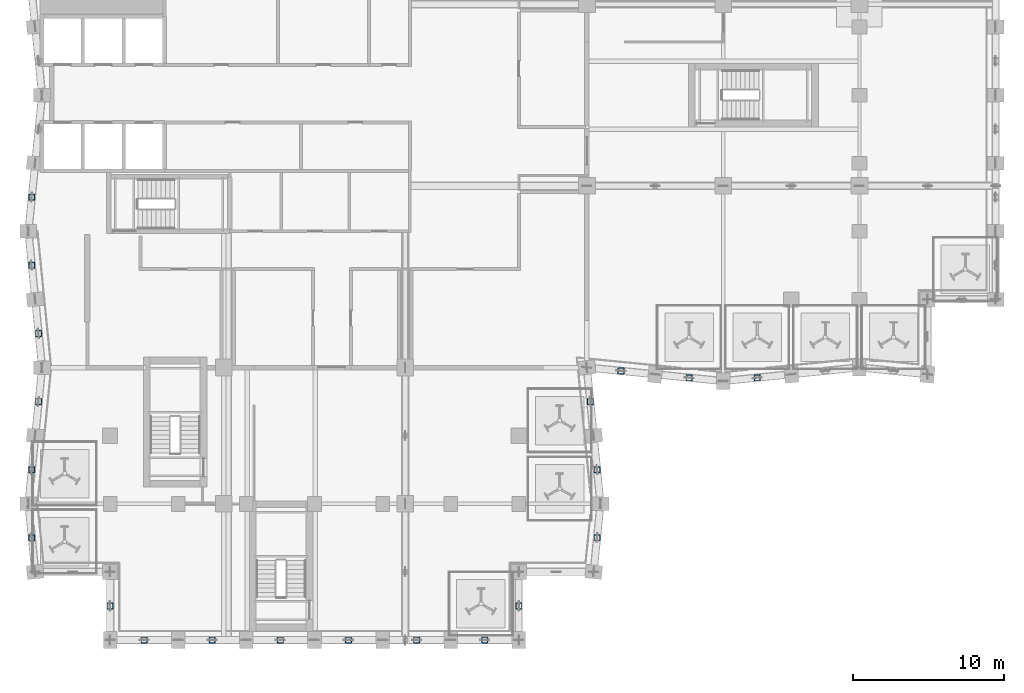
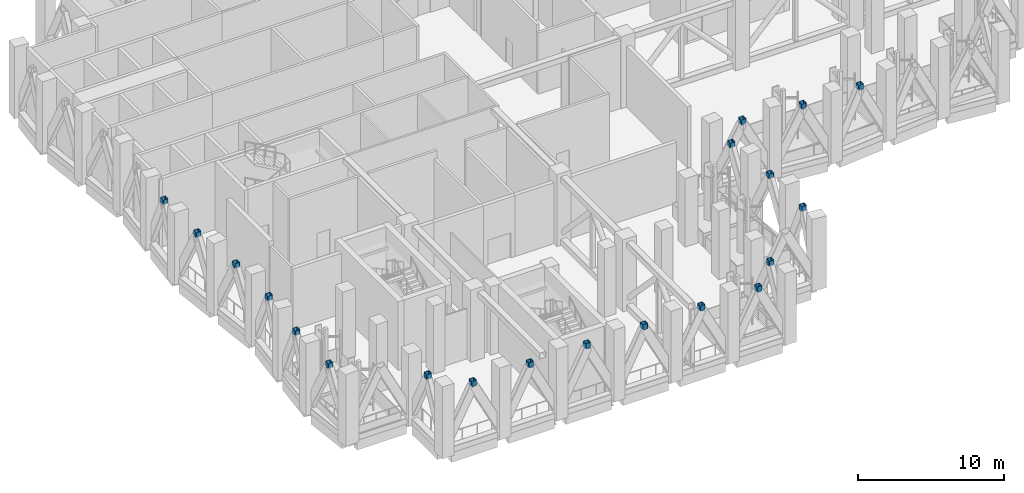
# One storey, part 10 of 28: 20 members.
"""IFC4 building model written with IfcOpenShell, lengths in metres."""

import ifcopenshell
import ifcopenshell.guid

model = None  # the IFC model being written
_history = None  # IfcOwnerHistory: only IFC2X3 demands one
_inside = {}  # id of a spatial element -> (the spatial element, [elements in it])
_under = {}  # id of a project, library or spatial element -> (it, [spatial elements below it])
_declared = {}  # id of a project -> (the project, [libraries it declares])
_typed = {}  # id of a type object -> (the type object, [elements of that type])
_made_of = {}  # id of a material, layer set ... -> (it, [elements and type objects made of it])


def new_model(schema):
    """Start an empty IFC model of exactly this schema.

    Asked for "IFC4X3", IfcOpenShell would pick the latest addendum, in which some entities
    have other attributes; the version numbers below select the first issue.
    IFC2X3 requires an IfcOwnerHistory on every rooted entity: one is made here for all.
    """
    global model, _history
    if schema == "IFC4X3":
        model = ifcopenshell.file(schema_version=(4, 3, 0, 0))
    else:
        model = ifcopenshell.file(schema=schema)
    _inside.clear()
    _under.clear()
    _declared.clear()
    _typed.clear()
    _made_of.clear()
    _history = None
    if model.schema == "IFC2X3":
        org = make("IfcOrganization", Name="unknown")
        user = make(
            "IfcPersonAndOrganization",
            ThePerson=make("IfcPerson", FamilyName="unknown"),
            TheOrganization=org,
        )
        app = make(
            "IfcApplication",
            ApplicationDeveloper=org,
            Version="unknown",
            ApplicationFullName="unknown",
            ApplicationIdentifier="unknown",
        )
        _history = make(
            "IfcOwnerHistory",
            OwningUser=user,
            OwningApplication=app,
            ChangeAction="ADDED",
            CreationDate=0,
        )
    return model


def make(cls, **values):
    """One entity of the class cls with the attributes given. An attribute that is None is left unset."""
    return model.create_entity(
        cls, **{name: value for name, value in values.items() if value is not None}
    )


def rooted(cls, **values):
    """An entity with a GlobalId (a new one), such as an element, a storey or a relation."""
    return make(cls, GlobalId=ifcopenshell.guid.new(), OwnerHistory=_history, **values)


def si_unit(unit_type, name, prefix=None):
    """IfcSIUnit, for example si_unit("LENGTHUNIT", "METRE", prefix="MILLI")."""
    return make("IfcSIUnit", UnitType=unit_type, Prefix=prefix, Name=name)


def assignment(units):
    """IfcUnitAssignment: the units of a project."""
    return None if units is None else make("IfcUnitAssignment", Units=units)


def point(xyz):
    """IfcCartesianPoint."""
    return None if xyz is None else make("IfcCartesianPoint", Coordinates=xyz)


def direction(xyz):
    """IfcDirection."""
    return None if xyz is None else make("IfcDirection", DirectionRatios=xyz)


def frame(location, z_axis=None, x_axis=None):
    """IfcAxis2Placement3D, a coordinate frame: its origin and axes. An axis left out is left unset."""
    return make(
        "IfcAxis2Placement3D",
        Location=point(location),
        Axis=direction(z_axis),
        RefDirection=direction(x_axis),
    )


def frame_2d(location, x_axis=None):
    """IfcAxis2Placement2D, a coordinate frame in the plane: its origin and x axis."""
    return make(
        "IfcAxis2Placement2D", Location=point(location), RefDirection=direction(x_axis)
    )


def origin():
    """The frame at (0, 0, 0) with its axes left unset."""
    return frame((0.0, 0.0, 0.0))


def origin_2d():
    """The frame at (0, 0) in the plane with its x axis left unset."""
    return frame_2d((0.0, 0.0))


def place(relative_to, where):
    """IfcLocalPlacement: puts the frame where relative to a parent placement (None: the world)."""
    return make(
        "IfcLocalPlacement", PlacementRelTo=relative_to, RelativePlacement=where
    )


def context(
    kind, dimensions, precision=None, world=None, true_north=None, identifier=None
):
    """IfcGeometricRepresentationContext, for example the 3D "Model" context."""
    return make(
        "IfcGeometricRepresentationContext",
        ContextIdentifier=identifier,
        ContextType=kind,
        CoordinateSpaceDimension=dimensions,
        Precision=precision,
        WorldCoordinateSystem=world,
        TrueNorth=true_north,
    )


def subcontext(parent, identifier, kind, view, scale=None):
    """IfcGeometricRepresentationSubContext, for example "Body" below "Model"."""
    return make(
        "IfcGeometricRepresentationSubContext",
        ContextIdentifier=identifier,
        ContextType=kind,
        ParentContext=parent,
        TargetScale=scale,
        TargetView=view,
    )


def project(units=None, contexts=None):
    """IfcProject with its units and contexts."""
    return rooted(
        "IfcProject",
        Name="project",
        RepresentationContexts=contexts,
        UnitsInContext=assignment(units),
    )


def spatial(cls, under=None, at=None, **own):
    """A site, building, storey or space (cls), placed at a placement, below another one or the project."""
    s = rooted(cls, ObjectPlacement=at, **own)
    if under is not None:
        _under.setdefault(under.id(), (under, []))[1].append(s)
    return s


def profile(cls, at=None, kind="AREA", **sizes):
    """A parametric profile (cls). Its sizes go by their IFC names, for example OverallWidth=200.0."""
    return make(cls, ProfileType=kind, Position=at, **sizes)


def hollow_rectangle(**sizes):
    """IfcRectangleHollowProfileDef."""
    return profile("IfcRectangleHollowProfileDef", **sizes)


def extrude(swept, where, along, depth):
    """IfcExtrudedAreaSolid: the profile swept, set in the frame where, extruded along a direction by depth."""
    return make(
        "IfcExtrudedAreaSolid",
        SweptArea=swept,
        Position=where,
        ExtrudedDirection=direction(along),
        Depth=depth,
    )


def shape(context_of_items, identifier, shape_type, items):
    """IfcShapeRepresentation: the items that make up one representation, for example the "Body"."""
    return make(
        "IfcShapeRepresentation",
        ContextOfItems=context_of_items,
        RepresentationIdentifier=identifier,
        RepresentationType=shape_type,
        Items=items,
    )


def material(Name=None, Category=None):
    """IfcMaterial."""
    return make("IfcMaterial", Name=Name, Category=Category)


def material_profile(
    of_material, cross_section, Name=None, Category=None, Priority=None
):
    """IfcMaterialProfile: a cross section and its material."""
    return make(
        "IfcMaterialProfile",
        Name=Name,
        Material=of_material,
        Profile=cross_section,
        Priority=Priority,
        Category=Category,
    )


def profile_set(profiles, Name=None, composite=None):
    """IfcMaterialProfileSet."""
    return make(
        "IfcMaterialProfileSet",
        Name=Name,
        MaterialProfiles=profiles,
        CompositeProfile=composite,
    )


def made_of(thing, what):
    """Note that an element or type object is made of a material, layer set ...; save() writes the relation."""
    if what is not None:
        _made_of.setdefault(what.id(), (what, []))[1].append(thing)
    return thing


def type_object(cls, material=None, **own):
    """A type object (cls), such as IfcWallType, which elements share."""
    return made_of(rooted(cls, **own), material)


def element(
    cls,
    number,
    at=None,
    inside=None,
    cuts=None,
    type_object=None,
    material=None,
    context=None,
    identifier="Body",
    shape_type=None,
    held_by="IfcProductDefinitionShape",
    body=None,
    shapes=None,
    **own,
):
    """One element of the class cls, such as IfcWall. Its Tag is "e" and its number.

    at: its placement. inside: the storey or other place that contains it. cuts: it is an
    opening in that element (IfcRelVoidsElement). A single representation is given by context,
    identifier, shape_type and body (its items); several are given by shapes. held_by: the class
    of the entity that holds the representations. save() writes the other relations.
    """
    e = rooted(cls, Tag="e%d" % number, ObjectPlacement=at, **own)
    if body is not None:
        shapes = [shape(context, identifier, shape_type, body)]
    if shapes is not None:
        e.Representation = make(held_by, Representations=shapes)
    if inside is not None:
        _inside.setdefault(inside.id(), (inside, []))[1].append(e)
    if cuts is not None:
        rooted(
            "IfcRelVoidsElement", RelatingBuildingElement=cuts, RelatedOpeningElement=e
        )
    if type_object is not None:
        _typed.setdefault(type_object.id(), (type_object, []))[1].append(e)
    return made_of(e, material)


def aggregate(whole, parts):
    """IfcRelAggregates: a whole, such as a stair, and the parts it consists of."""
    return rooted("IfcRelAggregates", RelatingObject=whole, RelatedObjects=parts)


def save(model, path):
    """Write the relations noted so far, then the file.

    IfcRelAggregates (storeys below a building ...), IfcRelContainedInSpatialStructure (elements
    in a storey), IfcRelDefinesByType, IfcRelAssociatesMaterial and IfcRelDeclares: one each for
    every whole, place, type object, material and project.
    """
    for whole, parts in _under.values():
        aggregate(whole, parts)
    for where, things in _inside.values():
        rooted(
            "IfcRelContainedInSpatialStructure",
            RelatedElements=things,
            RelatingStructure=where,
        )
    for kind, things in _typed.values():
        rooted("IfcRelDefinesByType", RelatedObjects=things, RelatingType=kind)
    for what, things in _made_of.values():
        rooted("IfcRelAssociatesMaterial", RelatedObjects=things, RelatingMaterial=what)
    for by, libraries in _declared.values():
        rooted("IfcRelDeclares", RelatingContext=by, RelatedDefinitions=libraries)
    model.write(path)


model = new_model("IFC4")

# Units and contexts
model_context = context("Model", 3, precision=1e-05, world=origin(), true_north=direction((0.0, 1.0)))
body_context = subcontext(model_context, "Body", "Model", "MODEL_VIEW")
ifc_project = project(units=[si_unit("LENGTHUNIT", "METRE"), si_unit("AREAUNIT", "SQUARE_METRE"), si_unit("VOLUMEUNIT", "CUBIC_METRE"), si_unit("PLANEANGLEUNIT", "RADIAN"), si_unit("MASSUNIT", "GRAM", prefix="KILO")], contexts=[model_context])

# Site, building, storey
site_placement = place(None, origin())
site = spatial("IfcSite", under=ifc_project, at=site_placement, CompositionType="ELEMENT")
building_placement = place(site_placement, origin())
building = spatial("IfcBuilding", under=site, at=building_placement, Name="Brondeck Convention Tower", CompositionType="ELEMENT")
storey_placement = place(building_placement, frame((0.0, 0.0, 192.800048828125)))
storey = spatial("IfcBuildingStorey", under=building, at=storey_placement, Name="L47", CompositionType="ELEMENT", Elevation=192.800048828125)

# Members
ifc_material = material(Name="Steel S460", Category="steel")
ifc_material_profile = material_profile(ifc_material, hollow_rectangle(XDim=0.39990234375, YDim=0.39990234375, WallThickness=0.02001953125, InnerFilletRadius=0.02001953125, OuterFilletRadius=0.0400390625, at=origin_2d()), Name="RHS 400x400x20")
ifc_profile_set = profile_set([ifc_material_profile], Name="Steel S460")
member_type = type_object("IfcMemberType", Name="Chevron strut RHS 400x400x20", PredefinedType="STRUT", material=ifc_profile_set)
for number, where, z_axis, x_axis, name in (
    (1, (6.75, 9.0, 4.915771484375), (0.0, 0.0, 1.0), (1.0, 0.0, 0.0), "Belt truss BT-47-1 post"),
    (2, (11.25, 9.0, 4.915771484375), (0.0, 0.0, 1.0), (1.0, 0.0, 0.0), "Belt truss BT-47-2 post"),
    (3, (15.75, 9.0, 4.915771484375), (0.0, 0.0, 1.0), (1.0, 0.0, 0.0), "Belt truss BT-47-3 post"),
    (4, (20.25, 9.0, 4.915771484375), (0.0, 0.0, 1.0), (1.0, 0.0, 0.0), "Belt truss BT-47-4 post"),
    (5, (24.75, 9.0, 4.915771484375), (0.0, 0.0, 1.0), (1.0, 0.0, 0.0), "Belt truss BT-47-5 post"),
    (6, (29.25, 9.0, 4.915771484375), (0.0, 0.0, 1.0), (1.0, 0.0, 0.0), "Belt truss BT-47-6 post"),
    (7, (31.5, 11.25, 4.915771484375), (0.0, 0.0, 1.0), (1.0, 0.0, 0.0), "Belt truss BT-47-7 post"),
):
    element("IfcMember", number, at=place(storey_placement, frame(where, z_axis=z_axis, x_axis=x_axis)), inside=storey, type_object=member_type, Name=name, PredefinedType="STRUT", context=body_context, shape_type="SweptSolid", body=[
        extrude(hollow_rectangle(XDim=0.39990234375, YDim=0.39990234375, WallThickness=0.02001953125, InnerFilletRadius=0.02001953125, OuterFilletRadius=0.0400390625, at=origin_2d()), origin(), (0.0, 0.0, 1.0), 0.43408203125),
    ])
for number, where, z_axis, x_axis, name in (
    (8, (36.675048828125, 15.75, 4.937744140625), (0.0, 0.0, 1.0), (1.0, 0.0, 0.0), "Belt truss BT-47-9 post"),
    (9, (36.675048828125, 20.25, 4.937744140625), (0.0, 0.0, 1.0), (1.0, 0.0, 0.0), "Belt truss BT-47-10 post"),
    (10, (36.22509765625, 24.75, 4.937744140625), (0.0, 0.0, 1.0), (1.0, 0.0, 0.0), "Belt truss BT-47-11 post"),
    (11, (38.25, 26.77490234375, 4.937744140625), (0.0, 0.0, 1.0), (1.0, 0.0, 0.0), "Belt truss BT-47-12 post"),
    (12, (42.75, 26.324951171875, 4.937744140625), (0.0, 0.0, 1.0), (1.0, 0.0, 0.0), "Belt truss BT-47-13 post"),
    (13, (47.25, 26.324951171875, 4.937744140625), (0.0, 0.0, 1.0), (1.0, 0.0, 0.0), "Belt truss BT-47-14 post"),
    (14, (-0.675048828125, 38.25, 4.937744140625), (0.0, 0.0, 1.0), (1.0, 0.0, 0.0), "Belt truss BT-47-45 post"),
    (15, (-0.675048828125, 33.75, 4.937744140625), (0.0, 0.0, 1.0), (1.0, 0.0, 0.0), "Belt truss BT-47-46 post"),
    (16, (-0.22509765625, 29.25, 4.937744140625), (0.0, 0.0, 1.0), (1.0, 0.0, 0.0), "Belt truss BT-47-47 post"),
    (17, (-0.22509765625, 24.75, 4.937744140625), (0.0, 0.0, 1.0), (1.0, 0.0, 0.0), "Belt truss BT-47-48 post"),
    (18, (-0.675048828125, 20.25, 4.937744140625), (0.0, 0.0, 1.0), (1.0, 0.0, 0.0), "Belt truss BT-47-49 post"),
    (19, (-0.675048828125, 15.75, 4.937744140625), (0.0, 0.0, 1.0), (1.0, 0.0, 0.0), "Belt truss BT-47-50 post"),
):
    element("IfcMember", number, at=place(storey_placement, frame(where, z_axis=z_axis, x_axis=x_axis)), inside=storey, type_object=member_type, Name=name, PredefinedType="STRUT", context=body_context, shape_type="SweptSolid", body=[
        extrude(hollow_rectangle(XDim=0.39990234375, YDim=0.39990234375, WallThickness=0.02001953125, InnerFilletRadius=0.02001953125, OuterFilletRadius=0.0400390625, at=origin_2d()), origin(), (0.0, 0.0, 1.0), 0.412109375),
    ])
member_placement = place(storey_placement, frame((4.5, 11.25, 4.915771484375), z_axis=(0.0, 0.0, 1.0), x_axis=(1.0, 0.0, 0.0)))
element("IfcMember", 20, at=member_placement, inside=storey, type_object=member_type, Name="Belt truss BT-47-52 post", PredefinedType="STRUT", context=body_context, shape_type="SweptSolid", body=[
    extrude(hollow_rectangle(XDim=0.39990234375, YDim=0.39990234375, WallThickness=0.02001953125, InnerFilletRadius=0.02001953125, OuterFilletRadius=0.0400390625, at=origin_2d()), origin(), (0.0, 0.0, 1.0), 0.43408203125),
])

save(model, "model.ifc")
